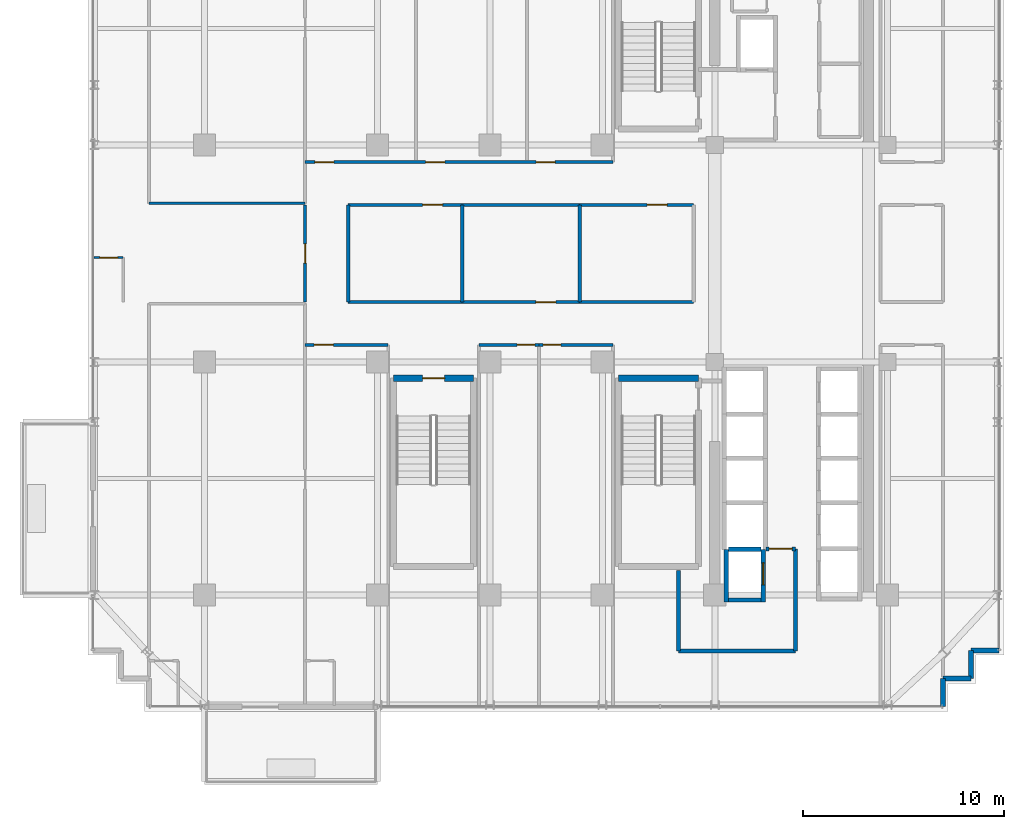
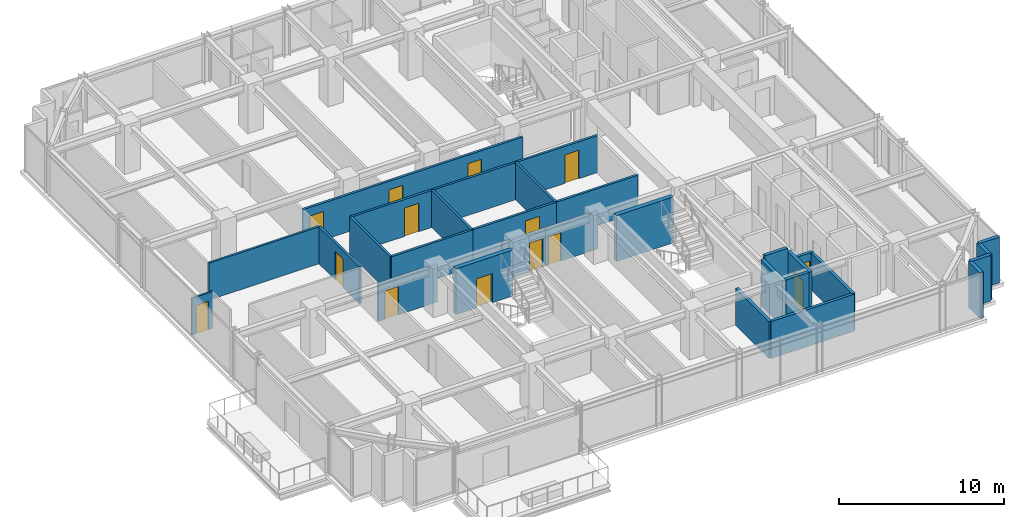
# One storey, part 25 of 31: 30 walls, 14 doors, 14 openings.
"""IFC4 building model written with IfcOpenShell, lengths in metres."""

import ifcopenshell
import ifcopenshell.guid

model = None  # the IFC model being written
_history = None  # IfcOwnerHistory: only IFC2X3 demands one
_inside = {}  # id of a spatial element -> (the spatial element, [elements in it])
_under = {}  # id of a project, library or spatial element -> (it, [spatial elements below it])
_declared = {}  # id of a project -> (the project, [libraries it declares])
_typed = {}  # id of a type object -> (the type object, [elements of that type])
_made_of = {}  # id of a material, layer set ... -> (it, [elements and type objects made of it])


def new_model(schema):
    """Start an empty IFC model of exactly this schema.

    Asked for "IFC4X3", IfcOpenShell would pick the latest addendum, in which some entities
    have other attributes; the version numbers below select the first issue.
    IFC2X3 requires an IfcOwnerHistory on every rooted entity: one is made here for all.
    """
    global model, _history
    if schema == "IFC4X3":
        model = ifcopenshell.file(schema_version=(4, 3, 0, 0))
    else:
        model = ifcopenshell.file(schema=schema)
    _inside.clear()
    _under.clear()
    _declared.clear()
    _typed.clear()
    _made_of.clear()
    _history = None
    if model.schema == "IFC2X3":
        org = make("IfcOrganization", Name="unknown")
        user = make(
            "IfcPersonAndOrganization",
            ThePerson=make("IfcPerson", FamilyName="unknown"),
            TheOrganization=org,
        )
        app = make(
            "IfcApplication",
            ApplicationDeveloper=org,
            Version="unknown",
            ApplicationFullName="unknown",
            ApplicationIdentifier="unknown",
        )
        _history = make(
            "IfcOwnerHistory",
            OwningUser=user,
            OwningApplication=app,
            ChangeAction="ADDED",
            CreationDate=0,
        )
    return model


def make(cls, **values):
    """One entity of the class cls with the attributes given. An attribute that is None is left unset."""
    return model.create_entity(
        cls, **{name: value for name, value in values.items() if value is not None}
    )


def rooted(cls, **values):
    """An entity with a GlobalId (a new one), such as an element, a storey or a relation."""
    return make(cls, GlobalId=ifcopenshell.guid.new(), OwnerHistory=_history, **values)


def si_unit(unit_type, name, prefix=None):
    """IfcSIUnit, for example si_unit("LENGTHUNIT", "METRE", prefix="MILLI")."""
    return make("IfcSIUnit", UnitType=unit_type, Prefix=prefix, Name=name)


def assignment(units):
    """IfcUnitAssignment: the units of a project."""
    return None if units is None else make("IfcUnitAssignment", Units=units)


def point(xyz):
    """IfcCartesianPoint."""
    return None if xyz is None else make("IfcCartesianPoint", Coordinates=xyz)


def direction(xyz):
    """IfcDirection."""
    return None if xyz is None else make("IfcDirection", DirectionRatios=xyz)


def frame(location, z_axis=None, x_axis=None):
    """IfcAxis2Placement3D, a coordinate frame: its origin and axes. An axis left out is left unset."""
    return make(
        "IfcAxis2Placement3D",
        Location=point(location),
        Axis=direction(z_axis),
        RefDirection=direction(x_axis),
    )


def frame_2d(location, x_axis=None):
    """IfcAxis2Placement2D, a coordinate frame in the plane: its origin and x axis."""
    return make(
        "IfcAxis2Placement2D", Location=point(location), RefDirection=direction(x_axis)
    )


def origin():
    """The frame at (0, 0, 0) with its axes left unset."""
    return frame((0.0, 0.0, 0.0))


def place(relative_to, where):
    """IfcLocalPlacement: puts the frame where relative to a parent placement (None: the world)."""
    return make(
        "IfcLocalPlacement", PlacementRelTo=relative_to, RelativePlacement=where
    )


def context(
    kind, dimensions, precision=None, world=None, true_north=None, identifier=None
):
    """IfcGeometricRepresentationContext, for example the 3D "Model" context."""
    return make(
        "IfcGeometricRepresentationContext",
        ContextIdentifier=identifier,
        ContextType=kind,
        CoordinateSpaceDimension=dimensions,
        Precision=precision,
        WorldCoordinateSystem=world,
        TrueNorth=true_north,
    )


def subcontext(parent, identifier, kind, view, scale=None):
    """IfcGeometricRepresentationSubContext, for example "Body" below "Model"."""
    return make(
        "IfcGeometricRepresentationSubContext",
        ContextIdentifier=identifier,
        ContextType=kind,
        ParentContext=parent,
        TargetScale=scale,
        TargetView=view,
    )


def project(units=None, contexts=None):
    """IfcProject with its units and contexts."""
    return rooted(
        "IfcProject",
        Name="project",
        RepresentationContexts=contexts,
        UnitsInContext=assignment(units),
    )


def spatial(cls, under=None, at=None, **own):
    """A site, building, storey or space (cls), placed at a placement, below another one or the project."""
    s = rooted(cls, ObjectPlacement=at, **own)
    if under is not None:
        _under.setdefault(under.id(), (under, []))[1].append(s)
    return s


def profile(cls, at=None, kind="AREA", **sizes):
    """A parametric profile (cls). Its sizes go by their IFC names, for example OverallWidth=200.0."""
    return make(cls, ProfileType=kind, Position=at, **sizes)


def rectangle(**sizes):
    """IfcRectangleProfileDef."""
    return profile("IfcRectangleProfileDef", **sizes)


def extrude(swept, where, along, depth):
    """IfcExtrudedAreaSolid: the profile swept, set in the frame where, extruded along a direction by depth."""
    return make(
        "IfcExtrudedAreaSolid",
        SweptArea=swept,
        Position=where,
        ExtrudedDirection=direction(along),
        Depth=depth,
    )


def shape(context_of_items, identifier, shape_type, items):
    """IfcShapeRepresentation: the items that make up one representation, for example the "Body"."""
    return make(
        "IfcShapeRepresentation",
        ContextOfItems=context_of_items,
        RepresentationIdentifier=identifier,
        RepresentationType=shape_type,
        Items=items,
    )


def source(mapping_origin, context_of_items, identifier, shape_type, items):
    """IfcRepresentationMap: a shape defined once, which mapped items show again and again."""
    return make(
        "IfcRepresentationMap",
        MappingOrigin=mapping_origin,
        MappedRepresentation=shape(context_of_items, identifier, shape_type, items),
    )


def transform(
    local_origin,
    x_axis=None,
    y_axis=None,
    z_axis=None,
    scale=None,
    scale2=None,
    scale3=None,
    uniform=True,
):
    """IfcCartesianTransformationOperator3D, or its non-uniform kind. x_axis, y_axis, z_axis: its Axis1, 2, 3."""
    if uniform:
        return make(
            "IfcCartesianTransformationOperator3D",
            Axis1=direction(x_axis),
            Axis2=direction(y_axis),
            LocalOrigin=point(local_origin),
            Scale=scale,
            Axis3=direction(z_axis),
        )
    return make(
        "IfcCartesianTransformationOperator3DnonUniform",
        Axis1=direction(x_axis),
        Axis2=direction(y_axis),
        LocalOrigin=point(local_origin),
        Scale=scale,
        Axis3=direction(z_axis),
        Scale2=scale2,
        Scale3=scale3,
    )


def mapped(mapping_source, mapping_target):
    """IfcMappedItem: shows the shape of a source again, moved by a transform."""
    return make(
        "IfcMappedItem", MappingSource=mapping_source, MappingTarget=mapping_target
    )


def material(Name=None, Category=None):
    """IfcMaterial."""
    return make("IfcMaterial", Name=Name, Category=Category)


def layer(
    of_material, thickness, ventilated=None, Name=None, Category=None, Priority=None
):
    """IfcMaterialLayer: one layer of a wall or slab, of a material (None: an air gap)."""
    return make(
        "IfcMaterialLayer",
        Material=of_material,
        LayerThickness=thickness,
        IsVentilated=ventilated,
        Name=Name,
        Category=Category,
        Priority=Priority,
    )


def layer_set(layers, Name=None):
    """IfcMaterialLayerSet."""
    return make("IfcMaterialLayerSet", MaterialLayers=layers, LayerSetName=Name)


def made_of(thing, what):
    """Note that an element or type object is made of a material, layer set ...; save() writes the relation."""
    if what is not None:
        _made_of.setdefault(what.id(), (what, []))[1].append(thing)
    return thing


def type_object(cls, material=None, **own):
    """A type object (cls), such as IfcWallType, which elements share."""
    return made_of(rooted(cls, **own), material)


def element(
    cls,
    number,
    at=None,
    inside=None,
    cuts=None,
    type_object=None,
    material=None,
    context=None,
    identifier="Body",
    shape_type=None,
    held_by="IfcProductDefinitionShape",
    body=None,
    shapes=None,
    **own,
):
    """One element of the class cls, such as IfcWall. Its Tag is "e" and its number.

    at: its placement. inside: the storey or other place that contains it. cuts: it is an
    opening in that element (IfcRelVoidsElement). A single representation is given by context,
    identifier, shape_type and body (its items); several are given by shapes. held_by: the class
    of the entity that holds the representations. save() writes the other relations.
    """
    e = rooted(cls, Tag="e%d" % number, ObjectPlacement=at, **own)
    if body is not None:
        shapes = [shape(context, identifier, shape_type, body)]
    if shapes is not None:
        e.Representation = make(held_by, Representations=shapes)
    if inside is not None:
        _inside.setdefault(inside.id(), (inside, []))[1].append(e)
    if cuts is not None:
        rooted(
            "IfcRelVoidsElement", RelatingBuildingElement=cuts, RelatedOpeningElement=e
        )
    if type_object is not None:
        _typed.setdefault(type_object.id(), (type_object, []))[1].append(e)
    return made_of(e, material)


def fill(opening, filler):
    """IfcRelFillsElement: the door or window that sits in an opening."""
    return rooted(
        "IfcRelFillsElement",
        RelatingOpeningElement=opening,
        RelatedBuildingElement=filler,
    )


def aggregate(whole, parts):
    """IfcRelAggregates: a whole, such as a stair, and the parts it consists of."""
    return rooted("IfcRelAggregates", RelatingObject=whole, RelatedObjects=parts)


def save(model, path):
    """Write the relations noted so far, then the file.

    IfcRelAggregates (storeys below a building ...), IfcRelContainedInSpatialStructure (elements
    in a storey), IfcRelDefinesByType, IfcRelAssociatesMaterial and IfcRelDeclares: one each for
    every whole, place, type object, material and project.
    """
    for whole, parts in _under.values():
        aggregate(whole, parts)
    for where, things in _inside.values():
        rooted(
            "IfcRelContainedInSpatialStructure",
            RelatedElements=things,
            RelatingStructure=where,
        )
    for kind, things in _typed.values():
        rooted("IfcRelDefinesByType", RelatedObjects=things, RelatingType=kind)
    for what, things in _made_of.values():
        rooted("IfcRelAssociatesMaterial", RelatedObjects=things, RelatingMaterial=what)
    for by, libraries in _declared.values():
        rooted("IfcRelDeclares", RelatingContext=by, RelatedDefinitions=libraries)
    model.write(path)


model = new_model("IFC4")

# Units and contexts
model_context = context("Model", 3, precision=1e-05, world=origin(), true_north=direction((0.0, 1.0)))
body_context = subcontext(model_context, "Body", "Model", "MODEL_VIEW")
ifc_project = project(units=[si_unit("LENGTHUNIT", "METRE"), si_unit("AREAUNIT", "SQUARE_METRE"), si_unit("VOLUMEUNIT", "CUBIC_METRE"), si_unit("PLANEANGLEUNIT", "RADIAN"), si_unit("MASSUNIT", "GRAM", prefix="KILO")], contexts=[model_context])

# Site, building, storey
site_placement = place(None, origin())
site = spatial("IfcSite", under=ifc_project, at=site_placement, CompositionType="ELEMENT")
building_placement = place(site_placement, origin())
building = spatial("IfcBuilding", under=site, at=building_placement, Name="Nahalor Promenade Grand Hotel", CompositionType="ELEMENT")
storey_placement = place(building_placement, frame((0.0, 0.0, 156.300048828125)))
storey = spatial("IfcBuildingStorey", under=building, at=storey_placement, Name="L39", CompositionType="ELEMENT", Elevation=156.300048828125)

# Wall
ifc_material_1 = material(Name="Concrete B-50 (C40/50)", Category="concrete")
ifc_layer_1 = layer(ifc_material_1, 0.300048828125)
ifc_layer_set_1 = layer_set([ifc_layer_1], Name="Concrete B-50 (C40/50)")
wall_type_1 = type_object("IfcWallType", Name="Wall-ShaftShear-300", PredefinedType="SHEAR", material=ifc_layer_set_1)
shared_shape_1 = source(origin(), body_context, "Body", "SweptSolid", [
    extrude(rectangle(XDim=3.97998046875, YDim=0.300048828125, at=frame_2d((1.989990234375, 0.0))), origin(), (0.0, 0.0, 1.0), 3.389892578125),
])
wall_1_placement = place(storey_placement, frame((3.610107421875, -6.2099609375, 0.0), z_axis=(0.0, 0.0, 1.0), x_axis=(1.0, 0.0, 0.0)))
element("IfcWall", 1, at=wall_1_placement, inside=storey, type_object=wall_type_1, Name="L39 Exit Stair ST2 Shaft Wall N", PredefinedType="SHEAR", context=body_context, shape_type="MappedRepresentation", body=[
    mapped(shared_shape_1, transform((0.0, 0.0, 0.0), scale=1.0)),
])

# Wall, opening, door
wall_2_placement = place(storey_placement, frame((-7.590087890625, -6.2099609375, 0.0), z_axis=(0.0, 0.0, 1.0), x_axis=(1.0, 0.0, 0.0)))
wall_2 = element("IfcWall", 2, at=wall_2_placement, inside=storey, type_object=wall_type_1, Name="L39 Exit Stair ST3 Shaft Wall N", PredefinedType="SHEAR", context=body_context, shape_type="MappedRepresentation", body=[
    mapped(shared_shape_1, transform((0.0, 0.0, 0.0), scale=1.0)),
])
opening_1_placement = place(wall_2_placement, frame((1.43994140625, 0.0, 0.0)))
opening_1 = element("IfcOpeningElement", 3, at=opening_1_placement, cuts=wall_2, Name="Opening D-ST1", PredefinedType="OPENING", context=body_context, shape_type="SweptSolid", body=[
    extrude(rectangle(XDim=1.10009765625, YDim=2.14990234375, at=frame_2d((0.550048828125, 1.074951171875))), frame((0.0, 0.159912109375, 0.0), z_axis=(0.0, -1.0, 0.0), x_axis=(1.0, 0.0, 0.0)), (0.0, 0.0, 1.0), 0.320068359375),
])
ifc_material_2 = material(Name="Steel S355JR", Category="steel")
door_type_1 = type_object("IfcDoorType", Name="Door-StairFire-1100", OperationType="NOTDEFINED", PredefinedType="DOOR", material=ifc_material_2)
shared_shape_2 = source(origin(), body_context, "Body", "SweptSolid", [
    extrude(rectangle(XDim=1.10009765625, YDim=2.14990234375, at=frame_2d((0.550048828125, 1.074951171875))), frame((0.0, 0.02490234375, 0.0), z_axis=(0.0, -1.0, 0.0), x_axis=(1.0, 0.0, 0.0)), (0.0, 0.0, 1.0), 0.050048828125),
])
door_1_placement = place(opening_1_placement, frame((1.10009765625, 0.0, 0.0), z_axis=(0.0, 0.0, 1.0), x_axis=(-1.0, 0.0, 0.0)))
door_1 = element("IfcDoor", 4, at=door_1_placement, inside=storey, type_object=door_type_1, Name="DR-STAIR-ST3-L39", OperationType="SINGLE_SWING_RIGHT", OverallHeight=2.14990234375, OverallWidth=1.10009765625, PredefinedType="DOOR", context=body_context, shape_type="MappedRepresentation", body=[
    mapped(shared_shape_2, transform((0.0, 0.0, 0.0), scale=1.0)),
])
fill(opening_1, door_1)

# Walls
ifc_layer_2 = layer(ifc_material_1, 0.219970703125)
ifc_layer_set_2 = layer_set([ifc_layer_2], Name="Concrete B-50 (C40/50)")
wall_type_2 = type_object("IfcWallType", Name="Wall-LiftShaft-220", PredefinedType="SHEAR", material=ifc_layer_set_2)
shared_shape_3 = source(origin(), body_context, "Body", "SweptSolid", [
    extrude(rectangle(XDim=1.619873046875, YDim=0.219970703125, at=frame_2d((0.81005859375, 0.0))), origin(), (0.0, 0.0, 1.0), 3.64990234375),
])
wall_3_placement = place(storey_placement, frame((9.090087890625, -14.72509765625, 0.0), z_axis=(0.0, 0.0, 1.0), x_axis=(1.0, 0.0, 0.0)))
element("IfcWall", 5, at=wall_3_placement, inside=storey, type_object=wall_type_2, Name="L39 Lift FL2 Hoistway Wall N", PredefinedType="SHEAR", context=body_context, shape_type="MappedRepresentation", body=[
    mapped(shared_shape_3, transform((0.0, 0.0, 0.0), scale=1.0)),
])
shared_shape_4 = source(origin(), body_context, "Body", "SweptSolid", [
    extrude(rectangle(XDim=2.635009765625, YDim=0.219970703125, at=frame_2d((1.3173828125, 0.0))), origin(), (0.0, 0.0, 1.0), 3.389892578125),
])
wall_4_placement = place(storey_placement, frame((8.97998046875, -17.360107421875, 0.0), z_axis=(0.0, 0.0, 1.0), x_axis=(0.0, 1.0, 0.0)))
element("IfcWall", 6, at=wall_4_placement, inside=storey, type_object=wall_type_2, Name="L39 Lift FL2 Hoistway Wall W", PredefinedType="SHEAR", context=body_context, shape_type="MappedRepresentation", body=[
    mapped(shared_shape_4, transform((0.0, 0.0, 0.0), scale=1.0)),
])

# Wall, opening, door
wall_5_placement = place(storey_placement, frame((10.820068359375, -17.360107421875, 0.0), z_axis=(0.0, 0.0, 1.0), x_axis=(0.0, 1.0, 0.0)))
wall_5 = element("IfcWall", 7, at=wall_5_placement, inside=storey, type_object=wall_type_2, Name="L39 Lift FL2 Hoistway Wall E", PredefinedType="SHEAR", context=body_context, shape_type="MappedRepresentation", body=[
    mapped(shared_shape_4, transform((0.0, 0.0, 0.0), scale=1.0)),
])
opening_2_placement = place(wall_5_placement, frame((0.860107421875, 0.0, 0.0)))
opening_2 = element("IfcOpeningElement", 8, at=opening_2_placement, cuts=wall_5, Name="Opening LD-02", PredefinedType="OPENING", context=body_context, shape_type="SweptSolid", body=[
    extrude(rectangle(XDim=1.10009765625, YDim=2.199951171875, at=frame_2d((0.550048828125, 1.10009765625))), frame((0.0, 0.119873046875, 0.0), z_axis=(0.0, -1.0, 0.0), x_axis=(1.0, 0.0, 0.0)), (0.0, 0.0, 1.0), 0.239990234375),
])
door_type_2 = type_object("IfcDoorType", Name="Door-LiftFF-1100", OperationType="DOUBLE_DOOR_SLIDING", PredefinedType="DOOR", material=ifc_material_2)
shared_shape_5 = source(origin(), body_context, "Body", "SweptSolid", [
    extrude(rectangle(XDim=1.10009765625, YDim=2.199951171875, at=frame_2d((0.550048828125, 1.10009765625))), frame((0.0, 0.02490234375, 0.0), z_axis=(0.0, -1.0, 0.0), x_axis=(1.0, 0.0, 0.0)), (0.0, 0.0, 1.0), 0.050048828125),
])
door_2_placement = place(opening_2_placement, frame((1.10009765625, 0.0, 0.0), z_axis=(0.0, 0.0, 1.0), x_axis=(-1.0, 0.0, 0.0)))
door_2 = element("IfcDoor", 9, at=door_2_placement, inside=storey, type_object=door_type_2, Name="DR-LIFT-FL2-L39", OperationType="DOUBLE_DOOR_SLIDING", OverallHeight=2.199951171875, OverallWidth=1.10009765625, PredefinedType="DOOR", context=body_context, shape_type="MappedRepresentation", body=[
    mapped(shared_shape_5, transform((0.0, 0.0, 0.0), scale=1.0)),
])
fill(opening_2, door_2)

# Walls
shared_shape_6 = source(origin(), body_context, "Body", "SweptSolid", [
    extrude(rectangle(XDim=1.619873046875, YDim=0.219970703125, at=frame_2d((0.81005859375, 0.0))), origin(), (0.0, 0.0, 1.0), 3.389892578125),
])
wall_6_placement = place(storey_placement, frame((9.090087890625, -17.25, 0.0), z_axis=(0.0, 0.0, 1.0), x_axis=(1.0, 0.0, 0.0)))
element("IfcWall", 10, at=wall_6_placement, inside=storey, type_object=wall_type_2, Name="L39 Lift FL2 Hoistway Wall S", PredefinedType="SHEAR", context=body_context, shape_type="MappedRepresentation", body=[
    mapped(shared_shape_6, transform((0.0, 0.0, 0.0), scale=1.0)),
])
ifc_material_3 = material(Name="Concrete B-40 (C32/40)", Category="concrete")
ifc_layer_3 = layer(ifc_material_3, 0.25)
ifc_layer_set_3 = layer_set([ifc_layer_3], Name="Concrete B-40 (C32/40)")
wall_type_3 = type_object("IfcWallType", Name="Wall-BronzePier-250", PredefinedType="STANDARD", material=ifc_layer_set_3)
shared_shape_7 = source(origin(), body_context, "Body", "SweptSolid", [
    extrude(rectangle(XDim=1.400146484375, YDim=0.25, at=frame_2d((0.7001953125, 0.0))), origin(), (0.0, 0.0, 1.0), 3.389892578125),
])
for number, where, z_axis, x_axis, name in (
    (11, (19.760009765625, -22.56005859375, 0.0), (0.0, 0.0, 1.0), (0.0, 1.0, 0.0), "W-L39-SR-01"),
    (12, (21.159912109375, -19.760009765625, 0.0), (0.0, 0.0, 1.0), (1.0, 0.0, 0.0), "W-L39-SR-04"),
):
    element("IfcWall", number, at=place(storey_placement, frame(where, z_axis=z_axis, x_axis=x_axis)), inside=storey, type_object=wall_type_3, Name=name, PredefinedType="STANDARD", context=body_context, shape_type="MappedRepresentation", body=[
        mapped(shared_shape_7, transform((0.0, 0.0, 0.0), scale=1.0)),
    ])
shared_shape_8 = source(origin(), body_context, "Body", "SweptSolid", [
    extrude(rectangle(XDim=1.39990234375, YDim=0.25, at=frame_2d((0.699951171875, 0.0))), origin(), (0.0, 0.0, 1.0), 3.389892578125),
])
for number, where, z_axis, x_axis, name in (
    (13, (19.760009765625, -21.159912109375, 0.0), (0.0, 0.0, 1.0), (1.0, 0.0, 0.0), "W-L39-SR-02"),
    (14, (21.159912109375, -21.159912109375, 0.0), (0.0, 0.0, 1.0), (0.0, 1.0, 0.0), "W-L39-SR-03"),
):
    element("IfcWall", number, at=place(storey_placement, frame(where, z_axis=z_axis, x_axis=x_axis)), inside=storey, type_object=wall_type_3, Name=name, PredefinedType="STANDARD", context=body_context, shape_type="MappedRepresentation", body=[
        mapped(shared_shape_8, transform((0.0, 0.0, 0.0), scale=1.0)),
    ])
ifc_layer_4 = layer(ifc_material_3, 0.199951171875)
ifc_layer_set_4 = layer_set([ifc_layer_4], Name="Concrete B-40 (C32/40)")
wall_type_4 = type_object("IfcWallType", Name="Wall-PartFire-200", PredefinedType="PARTITIONING", material=ifc_layer_set_4)
shared_shape_9 = source(origin(), body_context, "Body", "SweptSolid", [
    extrude(rectangle(XDim=5.81982421875, YDim=0.199951171875, at=frame_2d((2.909912109375, 0.0))), origin(), (0.0, 0.0, 1.0), 2.72998046875),
])
wall_7_placement = place(storey_placement, frame((6.60009765625, -19.800048828125, 0.0), z_axis=(0.0, 0.0, 1.0), x_axis=(1.0, 0.0, 0.0)))
element("IfcWall", 15, at=wall_7_placement, inside=storey, type_object=wall_type_4, Name="W-L39-FF2-S1", PredefinedType="PARTITIONING", context=body_context, shape_type="MappedRepresentation", body=[
    mapped(shared_shape_9, transform((0.0, 0.0, 0.0), scale=1.0)),
])
shared_shape_10 = source(origin(), body_context, "Body", "SweptSolid", [
    extrude(rectangle(XDim=4.030029296875, YDim=0.199951171875, at=frame_2d((2.01513671875, 0.0))), origin(), (0.0, 0.0, 1.0), 2.72998046875),
])
wall_8_placement = place(storey_placement, frame((6.60009765625, -19.800048828125, 0.0), z_axis=(0.0, 0.0, 1.0), x_axis=(0.0, 1.0, 0.0)))
element("IfcWall", 16, at=wall_8_placement, inside=storey, type_object=wall_type_4, Name="W-L39-FF2-W1", PredefinedType="PARTITIONING", context=body_context, shape_type="MappedRepresentation", body=[
    mapped(shared_shape_10, transform((0.0, 0.0, 0.0), scale=1.0)),
])
shared_shape_11 = source(origin(), body_context, "Body", "SweptSolid", [
    extrude(rectangle(XDim=5.10009765625, YDim=0.199951171875, at=frame_2d((2.550048828125, 0.0))), origin(), (0.0, 0.0, 1.0), 2.72998046875),
])
wall_9_placement = place(storey_placement, frame((12.419921875, -19.800048828125, 0.0), z_axis=(0.0, 0.0, 1.0), x_axis=(0.0, 1.0, 0.0)))
element("IfcWall", 17, at=wall_9_placement, inside=storey, type_object=wall_type_4, Name="W-L39-FF2-E", PredefinedType="PARTITIONING", context=body_context, shape_type="MappedRepresentation", body=[
    mapped(shared_shape_11, transform((0.0, 0.0, 0.0), scale=1.0)),
])

# Wall, opening, door
shared_shape_12 = source(origin(), body_context, "Body", "SweptSolid", [
    extrude(rectangle(XDim=1.4599609375, YDim=0.199951171875, at=frame_2d((0.72998046875, 0.0))), origin(), (0.0, 0.0, 1.0), 2.72998046875),
])
wall_10_placement = place(storey_placement, frame((10.9599609375, -14.699951171875, 0.0), z_axis=(0.0, 0.0, 1.0), x_axis=(1.0, 0.0, 0.0)))
wall_10 = element("IfcWall", 18, at=wall_10_placement, inside=storey, type_object=wall_type_4, Name="W-L39-FF2-N1", PredefinedType="PARTITIONING", context=body_context, shape_type="MappedRepresentation", body=[
    mapped(shared_shape_12, transform((0.0, 0.0, 0.0), scale=1.0)),
])
opening_3_placement = place(wall_10_placement, frame((0.14501953125, 0.0, 0.0)))
opening_3 = element("IfcOpeningElement", 19, at=opening_3_placement, cuts=wall_10, Name="Opening D-FF1", PredefinedType="OPENING", context=body_context, shape_type="SweptSolid", body=[
    extrude(rectangle(XDim=1.14990234375, YDim=2.14990234375, at=frame_2d((0.574951171875, 1.074951171875))), frame((0.0, 0.10986328125, 0.0), z_axis=(0.0, -1.0, 0.0), x_axis=(1.0, 0.0, 0.0)), (0.0, 0.0, 1.0), 0.219970703125),
])
door_type_3 = type_object("IfcDoorType", Name="Door-FFLobby-1150", OperationType="NOTDEFINED", PredefinedType="DOOR", material=ifc_material_2)
shared_shape_13 = source(origin(), body_context, "Body", "SweptSolid", [
    extrude(rectangle(XDim=1.14990234375, YDim=2.14990234375, at=frame_2d((0.574951171875, 1.074951171875))), frame((0.0, 0.02490234375, 0.0), z_axis=(0.0, -1.0, 0.0), x_axis=(1.0, 0.0, 0.0)), (0.0, 0.0, 1.0), 0.050048828125),
])
door_3_placement = place(opening_3_placement, origin())
door_3 = element("IfcDoor", 20, at=door_3_placement, inside=storey, type_object=door_type_3, Name="DR-L39-FFL2", OperationType="SINGLE_SWING_RIGHT", OverallHeight=2.14990234375, OverallWidth=1.14990234375, PredefinedType="DOOR", context=body_context, shape_type="MappedRepresentation", body=[
    mapped(shared_shape_13, transform((0.0, 0.0, 0.0), scale=1.0)),
])
fill(opening_3, door_3)

ifc_material_4 = material(Name="Acoustic Mineral Gypsum", Category="gypsum")
ifc_layer_5 = layer(ifc_material_4, 0.1201171875)
ifc_layer_set_5 = layer_set([ifc_layer_5], Name="Acoustic Mineral Gypsum")
wall_type_5 = type_object("IfcWallType", Name="Wall-PartBath-120", PredefinedType="PARTITIONING", material=ifc_layer_set_5)
shared_shape_14 = source(origin(), body_context, "Body", "SweptSolid", [
    extrude(rectangle(XDim=1.449951171875, YDim=0.1201171875, at=frame_2d((0.72509765625, 0.0))), origin(), (0.0, 0.0, 1.0), 2.72998046875),
])
wall_11_placement = place(storey_placement, frame((-22.5, -0.199951171875, 0.0), z_axis=(0.0, 0.0, 1.0), x_axis=(1.0, 0.0, 0.0)))
wall_11 = element("IfcWall", 21, at=wall_11_placement, inside=storey, type_object=wall_type_5, Name="W-L39-W1-BH", PredefinedType="PARTITIONING", context=body_context, shape_type="MappedRepresentation", body=[
    mapped(shared_shape_14, transform((0.0, 0.0, 0.0), scale=1.0)),
])
opening_4_placement = place(wall_11_placement, frame((0.284912109375, 0.0, 0.0)))
opening_4 = element("IfcOpeningElement", 22, at=opening_4_placement, cuts=wall_11, Name="Opening D-03", PredefinedType="OPENING", context=body_context, shape_type="SweptSolid", body=[
    extrude(rectangle(XDim=0.8798828125, YDim=2.10009765625, at=frame_2d((0.43994140625, 1.050048828125))), frame((0.0, 0.070068359375, 0.0), z_axis=(0.0, -1.0, 0.0), x_axis=(1.0, 0.0, 0.0)), (0.0, 0.0, 1.0), 0.14013671875),
])
ifc_material_5 = material(Name="Fire-Rated Timber Composite", Category="wood")
door_type_4 = type_object("IfcDoorType", Name="Door-BathSwing-880", OperationType="NOTDEFINED", PredefinedType="DOOR", material=ifc_material_5)
shared_shape_15 = source(origin(), body_context, "Body", "SweptSolid", [
    extrude(rectangle(XDim=0.8798828125, YDim=2.10009765625, at=frame_2d((0.43994140625, 1.050048828125))), frame((0.0, 0.02490234375, 0.0), z_axis=(0.0, -1.0, 0.0), x_axis=(1.0, 0.0, 0.0)), (0.0, 0.0, 1.0), 0.050048828125),
])
door_4_placement = place(opening_4_placement, frame((0.8798828125, 0.0, 0.0), z_axis=(0.0, 0.0, 1.0), x_axis=(-1.0, 0.0, 0.0)))
door_4 = element("IfcDoor", 23, at=door_4_placement, inside=storey, type_object=door_type_4, Name="DR-L39-W1-BATH", OperationType="SINGLE_SWING_RIGHT", OverallHeight=2.10009765625, OverallWidth=0.8798828125, PredefinedType="DOOR", context=body_context, shape_type="MappedRepresentation", body=[
    mapped(shared_shape_15, transform((0.0, 0.0, 0.0), scale=1.0)),
])
fill(opening_4, door_4)

ifc_layer_6 = layer(ifc_material_4, 0.159912109375)
ifc_layer_set_6 = layer_set([ifc_layer_6], Name="Acoustic Mineral Gypsum")
wall_type_6 = type_object("IfcWallType", Name="Wall-PartCorridor-160", PredefinedType="PARTITIONING", material=ifc_layer_set_6)
shared_shape_16 = source(origin(), body_context, "Body", "SweptSolid", [
    extrude(rectangle(XDim=4.83984375, YDim=0.159912109375, at=frame_2d((2.419921875, 0.0))), origin(), (0.0, 0.0, 1.0), 2.72998046875),
])
wall_12_placement = place(storey_placement, frame((-12.0, -2.419921875, 0.0), z_axis=(0.0, 0.0, 1.0), x_axis=(0.0, 1.0, 0.0)))
wall_12 = element("IfcWall", 24, at=wall_12_placement, inside=storey, type_object=wall_type_6, Name="W-L39-WEST-E", PredefinedType="PARTITIONING", context=body_context, shape_type="MappedRepresentation", body=[
    mapped(shared_shape_16, transform((0.0, 0.0, 0.0), scale=1.0)),
])
opening_5_placement = place(wall_12_placement, frame((1.945068359375, 0.0, 0.0)))
opening_5 = element("IfcOpeningElement", 25, at=opening_5_placement, cuts=wall_12, Name="Opening D-01", PredefinedType="OPENING", context=body_context, shape_type="SweptSolid", body=[
    extrude(rectangle(XDim=0.949951171875, YDim=2.10009765625, at=frame_2d((0.47509765625, 1.050048828125))), frame((0.0, 0.08984375, 0.0), z_axis=(0.0, -1.0, 0.0), x_axis=(1.0, 0.0, 0.0)), (0.0, 0.0, 1.0), 0.179931640625),
])
door_type_5 = type_object("IfcDoorType", Name="Door-GuestEntry-950", OperationType="NOTDEFINED", PredefinedType="DOOR", material=ifc_material_5)
shared_shape_17 = source(origin(), body_context, "Body", "SweptSolid", [
    extrude(rectangle(XDim=0.949951171875, YDim=2.10009765625, at=frame_2d((0.47509765625, 1.050048828125))), frame((0.0, 0.02490234375, 0.0), z_axis=(0.0, -1.0, 0.0), x_axis=(1.0, 0.0, 0.0)), (0.0, 0.0, 1.0), 0.050048828125),
])
door_5_placement = place(opening_5_placement, origin())
door_5 = element("IfcDoor", 26, at=door_5_placement, inside=storey, type_object=door_type_5, Name="DR-L39-W1-ENT", OperationType="SINGLE_SWING_LEFT", OverallHeight=2.10009765625, OverallWidth=0.949951171875, PredefinedType="DOOR", context=body_context, shape_type="MappedRepresentation", body=[
    mapped(shared_shape_17, transform((0.0, 0.0, 0.0), scale=1.0)),
])
fill(opening_5, door_5)

# Walls
for number, where, z_axis, x_axis, name in (
    (27, (-9.85009765625, -2.419921875, 0.0), (0.0, 0.0, 1.0), (0.0, 1.0, 0.0), "W-L39-CM1-W"),
    (28, (-4.174072265625, -2.419921875, 0.0), (0.0, 0.0, 1.0), (0.0, 1.0, 0.0), "W-L39-CM1-E"),
    (29, (1.674072265625, -2.419921875, 0.0), (0.0, 0.0, 1.0), (0.0, 1.0, 0.0), "W-L39-CM2-E"),
):
    element("IfcWall", number, at=place(storey_placement, frame(where, z_axis=z_axis, x_axis=x_axis)), inside=storey, type_object=wall_type_6, Name=name, PredefinedType="PARTITIONING", context=body_context, shape_type="MappedRepresentation", body=[
        mapped(shared_shape_16, transform((0.0, 0.0, 0.0), scale=1.0)),
    ])
ifc_layer_7 = layer(ifc_material_4, 0.139892578125)
ifc_layer_set_7 = layer_set([ifc_layer_7], Name="Acoustic Mineral Gypsum")
wall_type_7 = type_object("IfcWallType", Name="Wall-PartSuite-140", PredefinedType="PARTITIONING", material=ifc_layer_set_7)
shared_shape_18 = source(origin(), body_context, "Body", "SweptSolid", [
    extrude(rectangle(XDim=7.760009765625, YDim=0.139892578125, at=frame_2d((3.8798828125, 0.0))), origin(), (0.0, 0.0, 1.0), 2.72998046875),
])
wall_13_placement = place(storey_placement, frame((-19.760009765625, 2.5, 0.0), z_axis=(0.0, 0.0, 1.0), x_axis=(1.0, 0.0, 0.0)))
element("IfcWall", 30, at=wall_13_placement, inside=storey, type_object=wall_type_7, Name="W-L39-ZNW-S", PredefinedType="PARTITIONING", context=body_context, shape_type="MappedRepresentation", body=[
    mapped(shared_shape_18, transform((0.0, 0.0, 0.0), scale=1.0)),
])

# Wall, openings, doors
shared_shape_19 = source(origin(), body_context, "Body", "SweptSolid", [
    extrude(rectangle(XDim=15.340087890625, YDim=0.159912109375, at=frame_2d((7.669921875, 0.0))), origin(), (0.0, 0.0, 1.0), 2.72998046875),
])
wall_14_placement = place(storey_placement, frame((-12.0, 4.550048828125, 0.0), z_axis=(0.0, 0.0, 1.0), x_axis=(1.0, 0.0, 0.0)))
wall_14 = element("IfcWall", 31, at=wall_14_placement, inside=storey, type_object=wall_type_6, Name="W-L39-CORR-N", PredefinedType="PARTITIONING", context=body_context, shape_type="MappedRepresentation", body=[
    mapped(shared_shape_19, transform((0.0, 0.0, 0.0), scale=1.0)),
])
opening_6_placement = place(wall_14_placement, frame((0.487060546875, 0.0, 0.0)))
opening_6 = element("IfcOpeningElement", 32, at=opening_6_placement, cuts=wall_14, Name="Opening D-01", PredefinedType="OPENING", context=body_context, shape_type="SweptSolid", body=[
    extrude(rectangle(XDim=0.949951171875, YDim=2.10009765625, at=frame_2d((0.47509765625, 1.050048828125))), frame((0.0, 0.08984375, 0.0), z_axis=(0.0, -1.0, 0.0), x_axis=(1.0, 0.0, 0.0)), (0.0, 0.0, 1.0), 0.179931640625),
])
opening_7_placement = place(wall_14_placement, frame((6.009033203125, 0.0, 0.0)))
opening_7 = element("IfcOpeningElement", 33, at=opening_7_placement, cuts=wall_14, Name="Opening D-01", PredefinedType="OPENING", context=body_context, shape_type="SweptSolid", body=[
    extrude(rectangle(XDim=0.949951171875, YDim=2.10009765625, at=frame_2d((0.47509765625, 1.050048828125))), frame((0.0, 0.08984375, 0.0), z_axis=(0.0, -1.0, 0.0), x_axis=(1.0, 0.0, 0.0)), (0.0, 0.0, 1.0), 0.179931640625),
])
opening_8_placement = place(wall_14_placement, frame((11.5048828125, 0.0, 0.0)))
opening_8 = element("IfcOpeningElement", 34, at=opening_8_placement, cuts=wall_14, Name="Opening D-01", PredefinedType="OPENING", context=body_context, shape_type="SweptSolid", body=[
    extrude(rectangle(XDim=0.949951171875, YDim=2.10009765625, at=frame_2d((0.47509765625, 1.050048828125))), frame((0.0, 0.08984375, 0.0), z_axis=(0.0, -1.0, 0.0), x_axis=(1.0, 0.0, 0.0)), (0.0, 0.0, 1.0), 0.179931640625),
])
door_6_placement = place(opening_6_placement, origin())
door_6 = element("IfcDoor", 35, at=door_6_placement, inside=storey, type_object=door_type_5, Name="DR-L39-N1-ENT", OperationType="SINGLE_SWING_LEFT", OverallHeight=2.10009765625, OverallWidth=0.949951171875, PredefinedType="DOOR", context=body_context, shape_type="MappedRepresentation", body=[
    mapped(shared_shape_17, transform((0.0, 0.0, 0.0), scale=1.0)),
])
fill(opening_6, door_6)
door_7_placement = place(opening_7_placement, origin())
door_7 = element("IfcDoor", 36, at=door_7_placement, inside=storey, type_object=door_type_5, Name="DR-L39-N2-ENT", OperationType="SINGLE_SWING_LEFT", OverallHeight=2.10009765625, OverallWidth=0.949951171875, PredefinedType="DOOR", context=body_context, shape_type="MappedRepresentation", body=[
    mapped(shared_shape_17, transform((0.0, 0.0, 0.0), scale=1.0)),
])
fill(opening_7, door_7)
door_8_placement = place(opening_8_placement, origin())
door_8 = element("IfcDoor", 37, at=door_8_placement, inside=storey, type_object=door_type_5, Name="DR-L39-N3-ENT", OperationType="SINGLE_SWING_LEFT", OverallHeight=2.10009765625, OverallWidth=0.949951171875, PredefinedType="DOOR", context=body_context, shape_type="MappedRepresentation", body=[
    mapped(shared_shape_17, transform((0.0, 0.0, 0.0), scale=1.0)),
])
fill(opening_8, door_8)

# Wall, opening, door
shared_shape_20 = source(origin(), body_context, "Body", "SweptSolid", [
    extrude(rectangle(XDim=4.139892578125, YDim=0.159912109375, at=frame_2d((2.06982421875, 0.0))), origin(), (0.0, 0.0, 1.0), 2.72998046875),
])
wall_15_placement = place(storey_placement, frame((-12.0, -4.550048828125, 0.0), z_axis=(0.0, 0.0, 1.0), x_axis=(1.0, 0.0, 0.0)))
wall_15 = element("IfcWall", 38, at=wall_15_placement, inside=storey, type_object=wall_type_6, Name="W-L39-CORR-S", PredefinedType="PARTITIONING", context=body_context, shape_type="MappedRepresentation", body=[
    mapped(shared_shape_20, transform((0.0, 0.0, 0.0), scale=1.0)),
])
opening_9_placement = place(wall_15_placement, frame((0.45703125, 0.0, 0.0)))
opening_9 = element("IfcOpeningElement", 39, at=opening_9_placement, cuts=wall_15, Name="Opening D-01", PredefinedType="OPENING", context=body_context, shape_type="SweptSolid", body=[
    extrude(rectangle(XDim=0.949951171875, YDim=2.10009765625, at=frame_2d((0.47509765625, 1.050048828125))), frame((0.0, 0.08984375, 0.0), z_axis=(0.0, -1.0, 0.0), x_axis=(1.0, 0.0, 0.0)), (0.0, 0.0, 1.0), 0.179931640625),
])
door_9_placement = place(opening_9_placement, frame((0.949951171875, 0.0, 0.0), z_axis=(0.0, 0.0, 1.0), x_axis=(-1.0, 0.0, 0.0)))
door_9 = element("IfcDoor", 40, at=door_9_placement, inside=storey, type_object=door_type_5, Name="DR-L39-S1-ENT", OperationType="SINGLE_SWING_LEFT", OverallHeight=2.10009765625, OverallWidth=0.949951171875, PredefinedType="DOOR", context=body_context, shape_type="MappedRepresentation", body=[
    mapped(shared_shape_17, transform((0.0, 0.0, 0.0), scale=1.0)),
])
fill(opening_9, door_9)

shared_shape_21 = source(origin(), body_context, "Body", "SweptSolid", [
    extrude(rectangle(XDim=2.989990234375, YDim=0.159912109375, at=frame_2d((1.4951171875, 0.0))), origin(), (0.0, 0.0, 1.0), 2.72998046875),
])
wall_16_placement = place(storey_placement, frame((-3.340087890625, -4.550048828125, 0.0), z_axis=(0.0, 0.0, 1.0), x_axis=(1.0, 0.0, 0.0)))
wall_16 = element("IfcWall", 41, at=wall_16_placement, inside=storey, type_object=wall_type_6, Name="W-L39-SCB1-N", PredefinedType="PARTITIONING", context=body_context, shape_type="MappedRepresentation", body=[
    mapped(shared_shape_21, transform((0.0, 0.0, 0.0), scale=1.0)),
])
opening_10_placement = place(wall_16_placement, frame((1.89990234375, 0.0, 0.0)))
opening_10 = element("IfcOpeningElement", 42, at=opening_10_placement, cuts=wall_16, Name="Opening D-03", PredefinedType="OPENING", context=body_context, shape_type="SweptSolid", body=[
    extrude(rectangle(XDim=0.8798828125, YDim=2.10009765625, at=frame_2d((0.43994140625, 1.050048828125))), frame((0.0, 0.08984375, 0.0), z_axis=(0.0, -1.0, 0.0), x_axis=(1.0, 0.0, 0.0)), (0.0, 0.0, 1.0), 0.179931640625),
])
door_10_placement = place(opening_10_placement, frame((0.8798828125, 0.0, 0.0), z_axis=(0.0, 0.0, 1.0), x_axis=(-1.0, 0.0, 0.0)))
door_10 = element("IfcDoor", 43, at=door_10_placement, inside=storey, type_object=door_type_4, Name="DR-L39-SCB1", OperationType="SINGLE_SWING_RIGHT", OverallHeight=2.10009765625, OverallWidth=0.8798828125, PredefinedType="DOOR", context=body_context, shape_type="MappedRepresentation", body=[
    mapped(shared_shape_15, transform((0.0, 0.0, 0.0), scale=1.0)),
])
fill(opening_10, door_10)

shared_shape_22 = source(origin(), body_context, "Body", "SweptSolid", [
    extrude(rectangle(XDim=3.690185546875, YDim=0.159912109375, at=frame_2d((1.84521484375, 0.0))), origin(), (0.0, 0.0, 1.0), 2.72998046875),
])
wall_17_placement = place(storey_placement, frame((-0.35009765625, -4.550048828125, 0.0), z_axis=(0.0, 0.0, 1.0), x_axis=(1.0, 0.0, 0.0)))
wall_17 = element("IfcWall", 44, at=wall_17_placement, inside=storey, type_object=wall_type_6, Name="W-L39-SCB2-N", PredefinedType="PARTITIONING", context=body_context, shape_type="MappedRepresentation", body=[
    mapped(shared_shape_22, transform((0.0, 0.0, 0.0), scale=1.0)),
])
opening_11_placement = place(wall_17_placement, frame((0.2099609375, 0.0, 0.0)))
opening_11 = element("IfcOpeningElement", 45, at=opening_11_placement, cuts=wall_17, Name="Opening D-03", PredefinedType="OPENING", context=body_context, shape_type="SweptSolid", body=[
    extrude(rectangle(XDim=0.8798828125, YDim=2.10009765625, at=frame_2d((0.43994140625, 1.050048828125))), frame((0.0, 0.08984375, 0.0), z_axis=(0.0, -1.0, 0.0), x_axis=(1.0, 0.0, 0.0)), (0.0, 0.0, 1.0), 0.179931640625),
])
door_11_placement = place(opening_11_placement, frame((0.8798828125, 0.0, 0.0), z_axis=(0.0, 0.0, 1.0), x_axis=(-1.0, 0.0, 0.0)))
door_11 = element("IfcDoor", 46, at=door_11_placement, inside=storey, type_object=door_type_4, Name="DR-L39-SCB2", OperationType="SINGLE_SWING_LEFT", OverallHeight=2.10009765625, OverallWidth=0.8798828125, PredefinedType="DOOR", context=body_context, shape_type="MappedRepresentation", body=[
    mapped(shared_shape_15, transform((0.0, 0.0, 0.0), scale=1.0)),
])
fill(opening_11, door_11)

# Wall
shared_shape_23 = source(origin(), body_context, "Body", "SweptSolid", [
    extrude(rectangle(XDim=5.676025390625, YDim=0.159912109375, at=frame_2d((2.837890625, 0.0))), origin(), (0.0, 0.0, 1.0), 2.72998046875),
])
wall_18_placement = place(storey_placement, frame((-9.85009765625, -2.419921875, 0.0), z_axis=(0.0, 0.0, 1.0), x_axis=(1.0, 0.0, 0.0)))
element("IfcWall", 47, at=wall_18_placement, inside=storey, type_object=wall_type_6, Name="W-L39-CM1-S", PredefinedType="PARTITIONING", context=body_context, shape_type="MappedRepresentation", body=[
    mapped(shared_shape_23, transform((0.0, 0.0, 0.0), scale=1.0)),
])

# Wall, opening, door
wall_19_placement = place(storey_placement, frame((-9.85009765625, 2.419921875, 0.0), z_axis=(0.0, 0.0, 1.0), x_axis=(1.0, 0.0, 0.0)))
wall_19 = element("IfcWall", 48, at=wall_19_placement, inside=storey, type_object=wall_type_6, Name="W-L39-CM1-N", PredefinedType="PARTITIONING", context=body_context, shape_type="MappedRepresentation", body=[
    mapped(shared_shape_23, transform((0.0, 0.0, 0.0), scale=1.0)),
])
opening_12_placement = place(wall_19_placement, frame((3.699951171875, 0.0, 0.0)))
opening_12 = element("IfcOpeningElement", 49, at=opening_12_placement, cuts=wall_19, Name="Opening D-04", PredefinedType="OPENING", context=body_context, shape_type="SweptSolid", body=[
    extrude(rectangle(XDim=1.0, YDim=2.10009765625, at=frame_2d((0.5, 1.050048828125))), frame((0.0, 0.08984375, 0.0), z_axis=(0.0, -1.0, 0.0), x_axis=(1.0, 0.0, 0.0)), (0.0, 0.0, 1.0), 0.179931640625),
])
door_type_6 = type_object("IfcDoorType", Name="Door-ServiceFire-1000", OperationType="NOTDEFINED", PredefinedType="DOOR", material=ifc_material_2)
shared_shape_24 = source(origin(), body_context, "Body", "SweptSolid", [
    extrude(rectangle(XDim=1.0, YDim=2.10009765625, at=frame_2d((0.5, 1.050048828125))), frame((0.0, 0.02490234375, 0.0), z_axis=(0.0, -1.0, 0.0), x_axis=(1.0, 0.0, 0.0)), (0.0, 0.0, 1.0), 0.050048828125),
])
door_12_placement = place(opening_12_placement, frame((1.0, 0.0, 0.0), z_axis=(0.0, 0.0, 1.0), x_axis=(-1.0, 0.0, 0.0)))
door_12 = element("IfcDoor", 50, at=door_12_placement, inside=storey, type_object=door_type_6, Name="DR-L39-CM1", OperationType="SINGLE_SWING_RIGHT", OverallHeight=2.10009765625, OverallWidth=1.0, PredefinedType="DOOR", context=body_context, shape_type="MappedRepresentation", body=[
    mapped(shared_shape_24, transform((0.0, 0.0, 0.0), scale=1.0)),
])
fill(opening_12, door_12)

# Wall
wall_20_placement = place(storey_placement, frame((1.674072265625, -2.419921875, 0.0), z_axis=(0.0, 0.0, 1.0), x_axis=(1.0, 0.0, 0.0)))
element("IfcWall", 51, at=wall_20_placement, inside=storey, type_object=wall_type_6, Name="W-L39-CM3-S", PredefinedType="PARTITIONING", context=body_context, shape_type="MappedRepresentation", body=[
    mapped(shared_shape_23, transform((0.0, 0.0, 0.0), scale=1.0)),
])

# Wall, opening, door
wall_21_placement = place(storey_placement, frame((1.674072265625, 2.419921875, 0.0), z_axis=(0.0, 0.0, 1.0), x_axis=(1.0, 0.0, 0.0)))
wall_21 = element("IfcWall", 52, at=wall_21_placement, inside=storey, type_object=wall_type_6, Name="W-L39-CM3-N", PredefinedType="PARTITIONING", context=body_context, shape_type="MappedRepresentation", body=[
    mapped(shared_shape_23, transform((0.0, 0.0, 0.0), scale=1.0)),
])
opening_13_placement = place(wall_21_placement, frame((3.360107421875, 0.0, 0.0)))
opening_13 = element("IfcOpeningElement", 53, at=opening_13_placement, cuts=wall_21, Name="Opening D-04", PredefinedType="OPENING", context=body_context, shape_type="SweptSolid", body=[
    extrude(rectangle(XDim=1.0, YDim=2.10009765625, at=frame_2d((0.5, 1.050048828125))), frame((0.0, 0.08984375, 0.0), z_axis=(0.0, -1.0, 0.0), x_axis=(1.0, 0.0, 0.0)), (0.0, 0.0, 1.0), 0.179931640625),
])
door_13_placement = place(opening_13_placement, frame((1.0, 0.0, 0.0), z_axis=(0.0, 0.0, 1.0), x_axis=(-1.0, 0.0, 0.0)))
door_13 = element("IfcDoor", 54, at=door_13_placement, inside=storey, type_object=door_type_6, Name="DR-L39-CM3", OperationType="SINGLE_SWING_RIGHT", OverallHeight=2.10009765625, OverallWidth=1.0, PredefinedType="DOOR", context=body_context, shape_type="MappedRepresentation", body=[
    mapped(shared_shape_24, transform((0.0, 0.0, 0.0), scale=1.0)),
])
fill(opening_13, door_13)

shared_shape_25 = source(origin(), body_context, "Body", "SweptSolid", [
    extrude(rectangle(XDim=5.84814453125, YDim=0.159912109375, at=frame_2d((2.924072265625, 0.0))), origin(), (0.0, 0.0, 1.0), 2.72998046875),
])
wall_22_placement = place(storey_placement, frame((-4.174072265625, -2.419921875, 0.0), z_axis=(0.0, 0.0, 1.0), x_axis=(1.0, 0.0, 0.0)))
wall_22 = element("IfcWall", 55, at=wall_22_placement, inside=storey, type_object=wall_type_6, Name="W-L39-CM2-S", PredefinedType="PARTITIONING", context=body_context, shape_type="MappedRepresentation", body=[
    mapped(shared_shape_25, transform((0.0, 0.0, 0.0), scale=1.0)),
])
opening_14_placement = place(wall_22_placement, frame((3.66796875, 0.0, 0.0)))
opening_14 = element("IfcOpeningElement", 56, at=opening_14_placement, cuts=wall_22, Name="Opening D-04", PredefinedType="OPENING", context=body_context, shape_type="SweptSolid", body=[
    extrude(rectangle(XDim=1.0, YDim=2.10009765625, at=frame_2d((0.5, 1.050048828125))), frame((0.0, 0.08984375, 0.0), z_axis=(0.0, -1.0, 0.0), x_axis=(1.0, 0.0, 0.0)), (0.0, 0.0, 1.0), 0.179931640625),
])
door_14_placement = place(opening_14_placement, origin())
door_14 = element("IfcDoor", 57, at=door_14_placement, inside=storey, type_object=door_type_6, Name="DR-L39-CM2", OperationType="SINGLE_SWING_LEFT", OverallHeight=2.10009765625, OverallWidth=1.0, PredefinedType="DOOR", context=body_context, shape_type="MappedRepresentation", body=[
    mapped(shared_shape_24, transform((0.0, 0.0, 0.0), scale=1.0)),
])
fill(opening_14, door_14)

# Wall
wall_23_placement = place(storey_placement, frame((-4.174072265625, 2.419921875, 0.0), z_axis=(0.0, 0.0, 1.0), x_axis=(1.0, 0.0, 0.0)))
element("IfcWall", 58, at=wall_23_placement, inside=storey, type_object=wall_type_6, Name="W-L39-CM2-N", PredefinedType="PARTITIONING", context=body_context, shape_type="MappedRepresentation", body=[
    mapped(shared_shape_25, transform((0.0, 0.0, 0.0), scale=1.0)),
])

save(model, "model.ifc")
